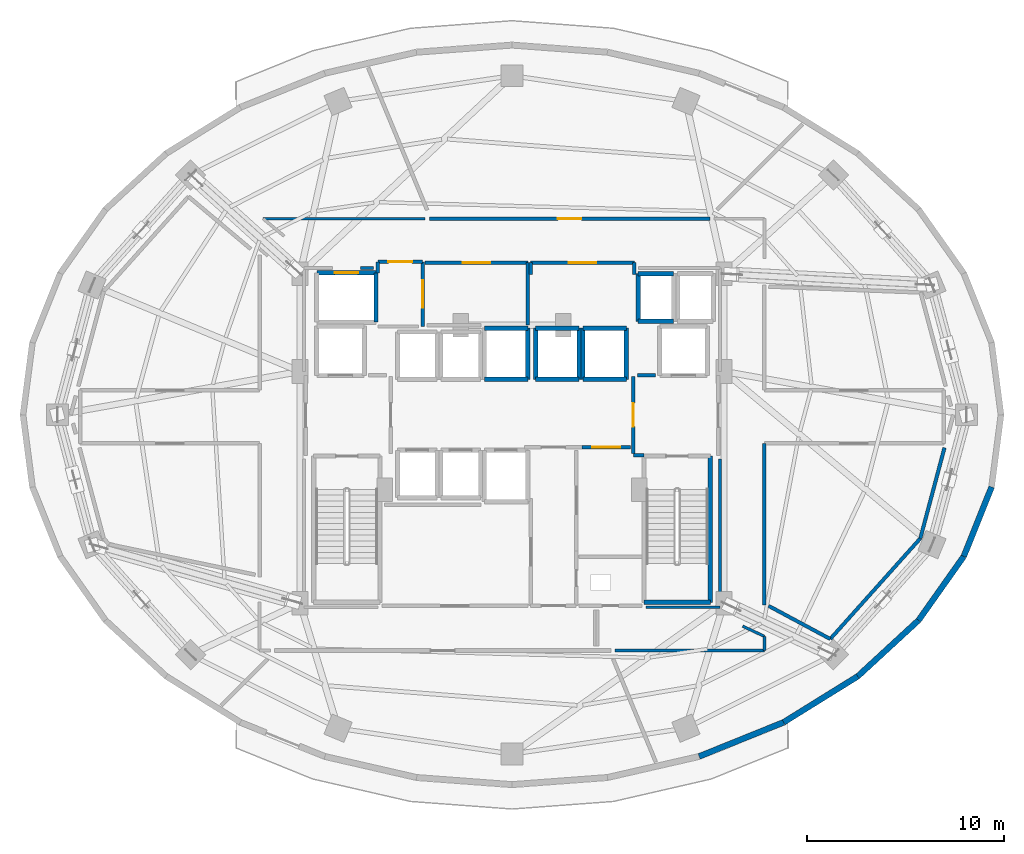
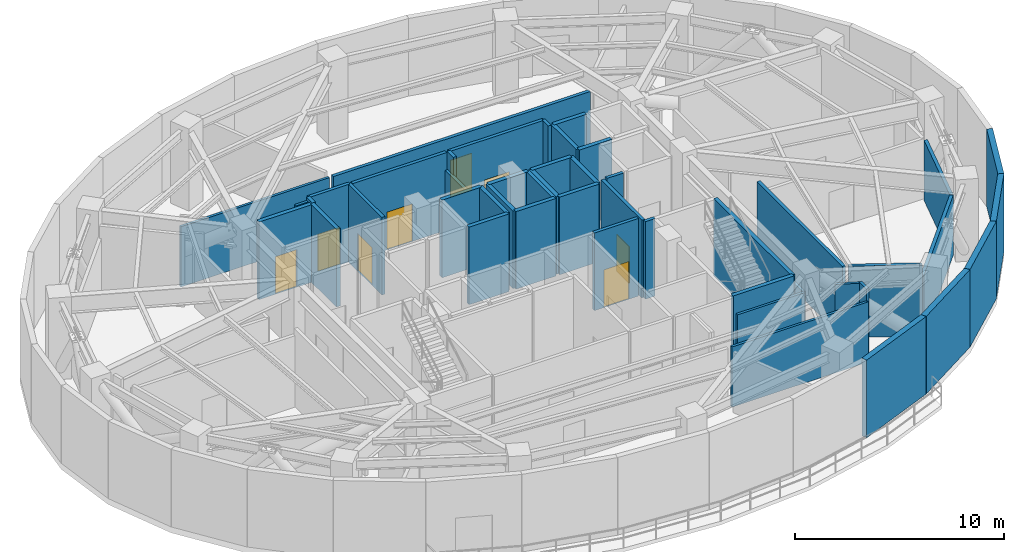
# One storey, part 8 of 11: 47 walls, 8 doors, 8 openings.
"""IFC4 building model written with IfcOpenShell, lengths in metres."""

import ifcopenshell
import ifcopenshell.guid

model = None  # the IFC model being written
_history = None  # IfcOwnerHistory: only IFC2X3 demands one
_inside = {}  # id of a spatial element -> (the spatial element, [elements in it])
_under = {}  # id of a project, library or spatial element -> (it, [spatial elements below it])
_declared = {}  # id of a project -> (the project, [libraries it declares])
_typed = {}  # id of a type object -> (the type object, [elements of that type])
_made_of = {}  # id of a material, layer set ... -> (it, [elements and type objects made of it])


def new_model(schema):
    """Start an empty IFC model of exactly this schema.

    Asked for "IFC4X3", IfcOpenShell would pick the latest addendum, in which some entities
    have other attributes; the version numbers below select the first issue.
    IFC2X3 requires an IfcOwnerHistory on every rooted entity: one is made here for all.
    """
    global model, _history
    if schema == "IFC4X3":
        model = ifcopenshell.file(schema_version=(4, 3, 0, 0))
    else:
        model = ifcopenshell.file(schema=schema)
    _inside.clear()
    _under.clear()
    _declared.clear()
    _typed.clear()
    _made_of.clear()
    _history = None
    if model.schema == "IFC2X3":
        org = make("IfcOrganization", Name="unknown")
        user = make(
            "IfcPersonAndOrganization",
            ThePerson=make("IfcPerson", FamilyName="unknown"),
            TheOrganization=org,
        )
        app = make(
            "IfcApplication",
            ApplicationDeveloper=org,
            Version="unknown",
            ApplicationFullName="unknown",
            ApplicationIdentifier="unknown",
        )
        _history = make(
            "IfcOwnerHistory",
            OwningUser=user,
            OwningApplication=app,
            ChangeAction="ADDED",
            CreationDate=0,
        )
    return model


def make(cls, **values):
    """One entity of the class cls with the attributes given. An attribute that is None is left unset."""
    return model.create_entity(
        cls, **{name: value for name, value in values.items() if value is not None}
    )


def rooted(cls, **values):
    """An entity with a GlobalId (a new one), such as an element, a storey or a relation."""
    return make(cls, GlobalId=ifcopenshell.guid.new(), OwnerHistory=_history, **values)


def si_unit(unit_type, name, prefix=None):
    """IfcSIUnit, for example si_unit("LENGTHUNIT", "METRE", prefix="MILLI")."""
    return make("IfcSIUnit", UnitType=unit_type, Prefix=prefix, Name=name)


def assignment(units):
    """IfcUnitAssignment: the units of a project."""
    return None if units is None else make("IfcUnitAssignment", Units=units)


def point(xyz):
    """IfcCartesianPoint."""
    return None if xyz is None else make("IfcCartesianPoint", Coordinates=xyz)


def direction(xyz):
    """IfcDirection."""
    return None if xyz is None else make("IfcDirection", DirectionRatios=xyz)


def frame(location, z_axis=None, x_axis=None):
    """IfcAxis2Placement3D, a coordinate frame: its origin and axes. An axis left out is left unset."""
    return make(
        "IfcAxis2Placement3D",
        Location=point(location),
        Axis=direction(z_axis),
        RefDirection=direction(x_axis),
    )


def frame_2d(location, x_axis=None):
    """IfcAxis2Placement2D, a coordinate frame in the plane: its origin and x axis."""
    return make(
        "IfcAxis2Placement2D", Location=point(location), RefDirection=direction(x_axis)
    )


def origin():
    """The frame at (0, 0, 0) with its axes left unset."""
    return frame((0.0, 0.0, 0.0))


def place(relative_to, where):
    """IfcLocalPlacement: puts the frame where relative to a parent placement (None: the world)."""
    return make(
        "IfcLocalPlacement", PlacementRelTo=relative_to, RelativePlacement=where
    )


def context(
    kind, dimensions, precision=None, world=None, true_north=None, identifier=None
):
    """IfcGeometricRepresentationContext, for example the 3D "Model" context."""
    return make(
        "IfcGeometricRepresentationContext",
        ContextIdentifier=identifier,
        ContextType=kind,
        CoordinateSpaceDimension=dimensions,
        Precision=precision,
        WorldCoordinateSystem=world,
        TrueNorth=true_north,
    )


def subcontext(parent, identifier, kind, view, scale=None):
    """IfcGeometricRepresentationSubContext, for example "Body" below "Model"."""
    return make(
        "IfcGeometricRepresentationSubContext",
        ContextIdentifier=identifier,
        ContextType=kind,
        ParentContext=parent,
        TargetScale=scale,
        TargetView=view,
    )


def project(units=None, contexts=None):
    """IfcProject with its units and contexts."""
    return rooted(
        "IfcProject",
        Name="project",
        RepresentationContexts=contexts,
        UnitsInContext=assignment(units),
    )


def spatial(cls, under=None, at=None, **own):
    """A site, building, storey or space (cls), placed at a placement, below another one or the project."""
    s = rooted(cls, ObjectPlacement=at, **own)
    if under is not None:
        _under.setdefault(under.id(), (under, []))[1].append(s)
    return s


def profile(cls, at=None, kind="AREA", **sizes):
    """A parametric profile (cls). Its sizes go by their IFC names, for example OverallWidth=200.0."""
    return make(cls, ProfileType=kind, Position=at, **sizes)


def rectangle(**sizes):
    """IfcRectangleProfileDef."""
    return profile("IfcRectangleProfileDef", **sizes)


def extrude(swept, where, along, depth):
    """IfcExtrudedAreaSolid: the profile swept, set in the frame where, extruded along a direction by depth."""
    return make(
        "IfcExtrudedAreaSolid",
        SweptArea=swept,
        Position=where,
        ExtrudedDirection=direction(along),
        Depth=depth,
    )


def shape(context_of_items, identifier, shape_type, items):
    """IfcShapeRepresentation: the items that make up one representation, for example the "Body"."""
    return make(
        "IfcShapeRepresentation",
        ContextOfItems=context_of_items,
        RepresentationIdentifier=identifier,
        RepresentationType=shape_type,
        Items=items,
    )


def material(Name=None, Category=None):
    """IfcMaterial."""
    return make("IfcMaterial", Name=Name, Category=Category)


def layer(
    of_material, thickness, ventilated=None, Name=None, Category=None, Priority=None
):
    """IfcMaterialLayer: one layer of a wall or slab, of a material (None: an air gap)."""
    return make(
        "IfcMaterialLayer",
        Material=of_material,
        LayerThickness=thickness,
        IsVentilated=ventilated,
        Name=Name,
        Category=Category,
        Priority=Priority,
    )


def layer_set(layers, Name=None):
    """IfcMaterialLayerSet."""
    return make("IfcMaterialLayerSet", MaterialLayers=layers, LayerSetName=Name)


def made_of(thing, what):
    """Note that an element or type object is made of a material, layer set ...; save() writes the relation."""
    if what is not None:
        _made_of.setdefault(what.id(), (what, []))[1].append(thing)
    return thing


def type_object(cls, material=None, **own):
    """A type object (cls), such as IfcWallType, which elements share."""
    return made_of(rooted(cls, **own), material)


def element(
    cls,
    number,
    at=None,
    inside=None,
    cuts=None,
    type_object=None,
    material=None,
    context=None,
    identifier="Body",
    shape_type=None,
    held_by="IfcProductDefinitionShape",
    body=None,
    shapes=None,
    **own,
):
    """One element of the class cls, such as IfcWall. Its Tag is "e" and its number.

    at: its placement. inside: the storey or other place that contains it. cuts: it is an
    opening in that element (IfcRelVoidsElement). A single representation is given by context,
    identifier, shape_type and body (its items); several are given by shapes. held_by: the class
    of the entity that holds the representations. save() writes the other relations.
    """
    e = rooted(cls, Tag="e%d" % number, ObjectPlacement=at, **own)
    if body is not None:
        shapes = [shape(context, identifier, shape_type, body)]
    if shapes is not None:
        e.Representation = make(held_by, Representations=shapes)
    if inside is not None:
        _inside.setdefault(inside.id(), (inside, []))[1].append(e)
    if cuts is not None:
        rooted(
            "IfcRelVoidsElement", RelatingBuildingElement=cuts, RelatedOpeningElement=e
        )
    if type_object is not None:
        _typed.setdefault(type_object.id(), (type_object, []))[1].append(e)
    return made_of(e, material)


def fill(opening, filler):
    """IfcRelFillsElement: the door or window that sits in an opening."""
    return rooted(
        "IfcRelFillsElement",
        RelatingOpeningElement=opening,
        RelatedBuildingElement=filler,
    )


def aggregate(whole, parts):
    """IfcRelAggregates: a whole, such as a stair, and the parts it consists of."""
    return rooted("IfcRelAggregates", RelatingObject=whole, RelatedObjects=parts)


def save(model, path):
    """Write the relations noted so far, then the file.

    IfcRelAggregates (storeys below a building ...), IfcRelContainedInSpatialStructure (elements
    in a storey), IfcRelDefinesByType, IfcRelAssociatesMaterial and IfcRelDeclares: one each for
    every whole, place, type object, material and project.
    """
    for whole, parts in _under.values():
        aggregate(whole, parts)
    for where, things in _inside.values():
        rooted(
            "IfcRelContainedInSpatialStructure",
            RelatedElements=things,
            RelatingStructure=where,
        )
    for kind, things in _typed.values():
        rooted("IfcRelDefinesByType", RelatedObjects=things, RelatingType=kind)
    for what, things in _made_of.values():
        rooted("IfcRelAssociatesMaterial", RelatedObjects=things, RelatingMaterial=what)
    for by, libraries in _declared.values():
        rooted("IfcRelDeclares", RelatingContext=by, RelatedDefinitions=libraries)
    model.write(path)


model = new_model("IFC4")

# Units and contexts
model_context = context("Model", 3, precision=1e-05, world=origin(), true_north=direction((0.0, 1.0)))
body_context = subcontext(model_context, "Body", "Model", "MODEL_VIEW")
ifc_project = project(units=[si_unit("LENGTHUNIT", "METRE"), si_unit("AREAUNIT", "SQUARE_METRE"), si_unit("VOLUMEUNIT", "CUBIC_METRE"), si_unit("PLANEANGLEUNIT", "RADIAN"), si_unit("MASSUNIT", "GRAM", prefix="KILO")], contexts=[model_context])

# Site, building, storey
site_placement = place(None, origin())
site = spatial("IfcSite", under=ifc_project, at=site_placement, CompositionType="ELEMENT")
building_placement = place(site_placement, origin())
building = spatial("IfcBuilding", under=site, at=building_placement, Name="Vorneva Point Tower", CompositionType="ELEMENT")
storey_placement = place(building_placement, frame((0.0, 0.0, 124.300048828125)))
storey = spatial("IfcBuildingStorey", under=building, at=storey_placement, Name="L33", CompositionType="ELEMENT", Elevation=124.300048828125)

# Walls
ifc_material_1 = material(Name="Precast concrete B50 (C40/50)", Category="concrete")
ifc_layer_1 = layer(ifc_material_1, 0.300048828125)
ifc_layer_set_1 = layer_set([ifc_layer_1], Name="Precast concrete B50 (C40/50)")
wall_type_1 = type_object("IfcWallType", Name="WL-EXT-300", PredefinedType="STANDARD", material=ifc_layer_set_1)
wall_1_placement = place(storey_placement, frame((47.490478515625, 8.67724609375, 0.0), z_axis=(0.0, 0.0, 1.0), x_axis=(0.927156504392, 0.374674280359, 0.0)))
element("IfcWall", 1, at=wall_1_placement, inside=storey, type_object=wall_type_1, Name="L33 Pale-Metal Facade Spandrel Wall 14.1", PredefinedType="STANDARD", context=body_context, shape_type="SweptSolid", body=[
    extrude(rectangle(XDim=4.62451171875, YDim=0.300048828125, at=frame_2d((2.312255859375, 0.0))), origin(), (0.0, 0.0, 1.0), 4.5400390625),
])
wall_2_placement = place(storey_placement, frame((51.778076171875, 10.409912109375, 0.0), z_axis=(0.0, 0.0, 1.0), x_axis=(0.849721181976, 0.527232313977, 0.0)))
element("IfcWall", 2, at=wall_2_placement, inside=storey, type_object=wall_type_1, Name="L33 Pale-Metal Facade Spandrel Wall 14.2", PredefinedType="STANDARD", context=body_context, shape_type="SweptSolid", body=[
    extrude(rectangle(XDim=4.422607421875, YDim=0.300048828125, at=frame_2d((2.21142578125, 0.0))), origin(), (0.0, 0.0, 1.0), 4.5400390625),
])
wall_3_placement = place(storey_placement, frame((55.5361328125, 12.74169921875, 0.0), z_axis=(0.0, 0.0, 1.0), x_axis=(0.735477154165, 0.677549522693, 0.0)))
element("IfcWall", 3, at=wall_3_placement, inside=storey, type_object=wall_type_1, Name="L33 Pale-Metal Facade Spandrel Wall 15.1", PredefinedType="STANDARD", context=body_context, shape_type="SweptSolid", body=[
    extrude(rectangle(XDim=4.193603515625, YDim=0.300048828125, at=frame_2d((2.0966796875, 0.0))), origin(), (0.0, 0.0, 1.0), 4.5400390625),
])
wall_4_placement = place(storey_placement, frame((58.620361328125, 15.5830078125, 0.0), z_axis=(0.0, 0.0, 1.0), x_axis=(0.577269753207, 0.816553508371, 0.0)))
element("IfcWall", 4, at=wall_4_placement, inside=storey, type_object=wall_type_1, Name="L33 Pale-Metal Facade Spandrel Wall 15.2", PredefinedType="STANDARD", context=body_context, shape_type="SweptSolid", body=[
    extrude(rectangle(XDim=3.969970703125, YDim=0.300048828125, at=frame_2d((1.98486328125, 0.0))), origin(), (0.0, 0.0, 1.0), 4.5400390625),
])
wall_5_placement = place(storey_placement, frame((60.912109375, 18.82470703125, 0.0), z_axis=(0.0, 0.0, 1.0), x_axis=(0.372401154411, 0.928071861546, 0.0)))
element("IfcWall", 5, at=wall_5_placement, inside=storey, type_object=wall_type_1, Name="L33 Pale-Metal Facade Spandrel Wall 16.1", PredefinedType="STANDARD", context=body_context, shape_type="SweptSolid", body=[
    extrude(rectangle(XDim=3.7900390625, YDim=0.300048828125, at=frame_2d((1.89501953125, 0.0))), origin(), (0.0, 0.0, 1.0), 4.5400390625),
])
ifc_material_2 = material(Name="Fire-rated acoustic gypsum stud partition", Category="gypsum")
ifc_layer_2 = layer(ifc_material_2, 0.139892578125)
ifc_layer_set_2 = layer_set([ifc_layer_2], Name="Fire-rated acoustic gypsum stud partition")
wall_type_2 = type_object("IfcWallType", Name="WL-PART-140", PredefinedType="PARTITIONING", material=ifc_layer_set_2)
wall_6_placement = place(storey_placement, frame((33.593994140625, 35.949951171875, 0.0), z_axis=(0.0, 0.0, 1.0), x_axis=(-1.0, 0.0, 0.0)))
element("IfcWall", 6, at=wall_6_placement, inside=storey, type_object=wall_type_2, Name="L33 Interior Closure Partition 044", PredefinedType="PARTITIONING", context=body_context, shape_type="SweptSolid", body=[
    extrude(rectangle(XDim=8.215087890625, YDim=0.139892578125, at=frame_2d((4.107421875, 0.0))), origin(), (0.0, 0.0, 1.0), 3.52197265625),
])
wall_7_placement = place(storey_placement, frame((43.235107421875, 14.050048828125, 0.0), z_axis=(0.0, 0.0, 1.0), x_axis=(1.0, 0.0, 0.0)))
element("IfcWall", 7, at=wall_7_placement, inside=storey, type_object=wall_type_2, Name="L33 Interior Closure Partition 049", PredefinedType="PARTITIONING", context=body_context, shape_type="SweptSolid", body=[
    extrude(rectangle(XDim=7.56494140625, YDim=0.139892578125, at=frame_2d((3.782470703125, 0.0))), origin(), (0.0, 0.0, 1.0), 3.52197265625),
])
wall_8_placement = place(storey_placement, frame((50.800048828125, 14.050048828125, 0.0), z_axis=(0.0, 0.0, 1.0), x_axis=(0.0, 1.0, 0.0)))
element("IfcWall", 8, at=wall_8_placement, inside=storey, type_object=wall_type_2, Name="L33 Interior Closure Partition 050", PredefinedType="PARTITIONING", context=body_context, shape_type="SweptSolid", body=[
    extrude(rectangle(XDim=0.716064453125, YDim=0.139892578125, at=frame_2d((0.35791015625, 0.0))), origin(), (0.0, 0.0, 1.0), 4.22900390625),
])
wall_9_placement = place(storey_placement, frame((50.800048828125, 14.76611328125, 0.0), z_axis=(0.0, 0.0, 1.0), x_axis=(-0.904646647719, 0.426162460537, 0.0)))
element("IfcWall", 9, at=wall_9_placement, inside=storey, type_object=wall_type_2, Name="L33 Interior Closure Partition 051", PredefinedType="PARTITIONING", context=body_context, shape_type="SweptSolid", body=[
    extrude(rectangle(XDim=1.222412109375, YDim=0.139892578125, at=frame_2d((0.611328125, 0.0))), origin(), (0.0, 0.0, 1.0), 4.174072265625),
])
wall_10_placement = place(storey_placement, frame((30.97998046875, 33.449951171875, 0.0), z_axis=(0.0, 0.0, 1.0), x_axis=(-1.0, 0.0, 0.0)))
element("IfcWall", 10, at=wall_10_placement, inside=storey, type_object=wall_type_2, Name="L33 Interior Closure Partition 052", PredefinedType="PARTITIONING", context=body_context, shape_type="SweptSolid", body=[
    extrude(rectangle(XDim=0.674072265625, YDim=0.139892578125, at=frame_2d((0.3369140625, 0.0))), origin(), (0.0, 0.0, 1.0), 4.5400390625),
])
wall_11_placement = place(storey_placement, frame((44.804931640625, 16.239990234375, 0.0), z_axis=(0.0, 0.0, 1.0), x_axis=(1.0, 0.0, 0.0)))
element("IfcWall", 11, at=wall_11_placement, inside=storey, type_object=wall_type_2, Name="L33 Interior Closure Partition 059", PredefinedType="PARTITIONING", context=body_context, shape_type="SweptSolid", body=[
    extrude(rectangle(XDim=3.7451171875, YDim=0.139892578125, at=frame_2d((1.87255859375, 0.0))), origin(), (0.0, 0.0, 1.0), 3.52197265625),
])
wall_12_placement = place(storey_placement, frame((48.550048828125, 16.239990234375, 0.0), z_axis=(0.0, 0.0, 1.0), x_axis=(0.0, 1.0, 0.0)))
element("IfcWall", 12, at=wall_12_placement, inside=storey, type_object=wall_type_2, Name="L33 Interior Closure Partition 060", PredefinedType="PARTITIONING", context=body_context, shape_type="SweptSolid", body=[
    extrude(rectangle(XDim=7.513916015625, YDim=0.139892578125, at=frame_2d((3.7568359375, 0.0))), origin(), (0.0, 0.0, 1.0), 3.52197265625),
])

# Wall, opening, door
ifc_material_3 = material(Name="Autoclaved aerated concrete blockwork", Category="masonry")
ifc_layer_3 = layer(ifc_material_3, 0.179931640625)
ifc_layer_set_3 = layer_set([ifc_layer_3], Name="Autoclaved aerated concrete blockwork")
wall_type_3 = type_object("IfcWallType", Name="WL-PART-180", PredefinedType="PARTITIONING", material=ifc_layer_set_3)
wall_13_placement = place(storey_placement, frame((44.14990234375, 27.955078125, 0.0), z_axis=(0.0, 0.0, 1.0), x_axis=(0.0, -1.0, 0.0)))
wall_13 = element("IfcWall", 13, at=wall_13_placement, inside=storey, type_object=wall_type_3, Name="L33 Interior Partition 003", PredefinedType="PARTITIONING", context=body_context, shape_type="SweptSolid", body=[
    extrude(rectangle(XDim=3.91015625, YDim=0.179931640625, at=frame_2d((1.955078125, 0.0))), origin(), (0.0, 0.0, 1.0), 4.5400390625),
])
opening_1_placement = place(wall_13_placement, frame((1.35498046875, 0.0, 0.0)))
opening_1 = element("IfcOpeningElement", 14, at=opening_1_placement, cuts=wall_13, Name="Opening FD-02", PredefinedType="OPENING", context=body_context, shape_type="SweptSolid", body=[
    extrude(rectangle(XDim=1.199951171875, YDim=2.14990234375, at=frame_2d((0.60009765625, 1.074951171875))), frame((0.0, 0.10498046875, 0.0), z_axis=(0.0, -1.0, 0.0), x_axis=(1.0, 0.0, 0.0)), (0.0, 0.0, 1.0), 0.209716796875),
])
ifc_material_4 = material(Name="Fire-rated powder-coated steel", Category="steel")
door_type_1 = type_object("IfcDoorType", Name="DR-FFL-1200", OperationType="NOTDEFINED", PredefinedType="DOOR", material=ifc_material_4)
door_1_placement = place(opening_1_placement, origin())
door_1 = element("IfcDoor", 15, at=door_1_placement, inside=storey, type_object=door_type_1, Name="L33 Door East Firefighting Lobby / Central Lift Lobby", OperationType="SINGLE_SWING_LEFT", OverallHeight=2.14990234375, OverallWidth=1.199951171875, PredefinedType="DOOR", context=body_context, shape_type="SweptSolid", body=[
    extrude(rectangle(XDim=1.199951171875, YDim=2.14990234375, at=frame_2d((0.60009765625, 1.074951171875))), frame((0.0, 0.02490234375, 0.0), z_axis=(0.0, -1.0, 0.0), x_axis=(1.0, 0.0, 0.0)), (0.0, 0.0, 1.0), 0.050048828125),
])
fill(opening_1, door_1)

# Wall
wall_14_placement = place(storey_placement, frame((44.14990234375, 23.949951171875, 0.0), z_axis=(0.0, 0.0, 1.0), x_axis=(1.0, 0.0, 0.0)))
element("IfcWall", 16, at=wall_14_placement, inside=storey, type_object=wall_type_3, Name="L33 Interior Partition 004", PredefinedType="PARTITIONING", context=body_context, shape_type="SweptSolid", body=[
    extrude(rectangle(XDim=0.5400390625, YDim=0.179931640625, at=frame_2d((0.27001953125, 0.0))), origin(), (0.0, 0.0, 1.0), 4.5400390625),
])

# Wall, opening, door
wall_15_placement = place(storey_placement, frame((33.469970703125, 30.47998046875, 0.0), z_axis=(0.0, 0.0, 1.0), x_axis=(0.0, 1.0, 0.0)))
wall_15 = element("IfcWall", 17, at=wall_15_placement, inside=storey, type_object=wall_type_3, Name="L33 Interior Partition 006", PredefinedType="PARTITIONING", context=body_context, shape_type="SweptSolid", body=[
    extrude(rectangle(XDim=3.280029296875, YDim=0.179931640625, at=frame_2d((1.64013671875, 0.0))), origin(), (0.0, 0.0, 1.0), 4.5400390625),
])
opening_2_placement = place(wall_15_placement, frame((0.93994140625, 0.0, 0.0)))
opening_2 = element("IfcOpeningElement", 18, at=opening_2_placement, cuts=wall_15, Name="Opening FD-03", PredefinedType="OPENING", context=body_context, shape_type="SweptSolid", body=[
    extrude(rectangle(XDim=1.39990234375, YDim=2.199951171875, at=frame_2d((0.699951171875, 1.10009765625))), frame((0.0, 0.10498046875, 0.0), z_axis=(0.0, -1.0, 0.0), x_axis=(1.0, 0.0, 0.0)), (0.0, 0.0, 1.0), 0.209716796875),
])
door_type_2 = type_object("IfcDoorType", Name="DR-PLT-1400", OperationType="DOUBLE_SWING_LEFT", PredefinedType="DOOR", material=ifc_material_4)
door_2_placement = place(opening_2_placement, origin())
door_2 = element("IfcDoor", 19, at=door_2_placement, inside=storey, type_object=door_type_2, Name="L33 Door Service Lift Lobby / Core Smoke Extract Plant L33", OperationType="DOUBLE_SWING_LEFT", OverallHeight=2.199951171875, OverallWidth=1.39990234375, PredefinedType="DOOR", context=body_context, shape_type="SweptSolid", body=[
    extrude(rectangle(XDim=1.39990234375, YDim=2.199951171875, at=frame_2d((0.699951171875, 1.10009765625))), frame((0.0, 0.02490234375, 0.0), z_axis=(0.0, -1.0, 0.0), x_axis=(1.0, 0.0, 0.0)), (0.0, 0.0, 1.0), 0.050048828125),
])
fill(opening_2, door_2)

wall_16_placement = place(storey_placement, frame((33.469970703125, 33.760009765625, 0.0), z_axis=(0.0, 0.0, 1.0), x_axis=(-1.0, 0.0, 0.0)))
wall_16 = element("IfcWall", 20, at=wall_16_placement, inside=storey, type_object=wall_type_3, Name="L33 Interior Partition 007", PredefinedType="PARTITIONING", context=body_context, shape_type="SweptSolid", body=[
    extrude(rectangle(XDim=2.27001953125, YDim=0.179931640625, at=frame_2d((1.135009765625, 0.0))), origin(), (0.0, 0.0, 1.0), 4.5400390625),
])
opening_3_placement = place(wall_16_placement, frame((0.534912109375, 0.0, 0.0)))
opening_3 = element("IfcOpeningElement", 21, at=opening_3_placement, cuts=wall_16, Name="Opening FD-02", PredefinedType="OPENING", context=body_context, shape_type="SweptSolid", body=[
    extrude(rectangle(XDim=1.199951171875, YDim=2.14990234375, at=frame_2d((0.60009765625, 1.074951171875))), frame((0.0, 0.10498046875, 0.0), z_axis=(0.0, -1.0, 0.0), x_axis=(1.0, 0.0, 0.0)), (0.0, 0.0, 1.0), 0.209716796875),
])
door_3_placement = place(opening_3_placement, origin())
door_3 = element("IfcDoor", 22, at=door_3_placement, inside=storey, type_object=door_type_1, Name="L33 Door Service Lift Lobby / L33 Refuge and Lift Lobby", OperationType="SINGLE_SWING_LEFT", OverallHeight=2.14990234375, OverallWidth=1.199951171875, PredefinedType="DOOR", context=body_context, shape_type="SweptSolid", body=[
    extrude(rectangle(XDim=1.199951171875, YDim=2.14990234375, at=frame_2d((0.60009765625, 1.074951171875))), frame((0.0, 0.02490234375, 0.0), z_axis=(0.0, -1.0, 0.0), x_axis=(1.0, 0.0, 0.0)), (0.0, 0.0, 1.0), 0.050048828125),
])
fill(opening_3, door_3)

# Wall
wall_17_placement = place(storey_placement, frame((31.199951171875, 33.760009765625, 0.0), z_axis=(0.0, 0.0, 1.0), x_axis=(0.0, -1.0, 0.0)))
element("IfcWall", 23, at=wall_17_placement, inside=storey, type_object=wall_type_3, Name="L33 Interior Partition 008", PredefinedType="PARTITIONING", context=body_context, shape_type="SweptSolid", body=[
    extrude(rectangle(XDim=0.56005859375, YDim=0.179931640625, at=frame_2d((0.280029296875, 0.0))), origin(), (0.0, 0.0, 1.0), 4.5400390625),
])

# Wall, opening, door
wall_18_placement = place(storey_placement, frame((41.554931640625, 24.35009765625, 0.0), z_axis=(0.0, 0.0, 1.0), x_axis=(1.0, 0.0, 0.0)))
wall_18 = element("IfcWall", 24, at=wall_18_placement, inside=storey, type_object=wall_type_3, Name="L33 Interior Partition 010", PredefinedType="PARTITIONING", context=body_context, shape_type="SweptSolid", body=[
    extrude(rectangle(XDim=2.445068359375, YDim=0.179931640625, at=frame_2d((1.22265625, 0.0))), origin(), (0.0, 0.0, 1.0), 4.5400390625),
])
opening_4_placement = place(wall_18_placement, frame((0.5224609375, 0.0, 0.0)))
opening_4 = element("IfcOpeningElement", 25, at=opening_4_placement, cuts=wall_18, Name="Opening FD-03", PredefinedType="OPENING", context=body_context, shape_type="SweptSolid", body=[
    extrude(rectangle(XDim=1.39990234375, YDim=2.199951171875, at=frame_2d((0.699951171875, 1.10009765625))), frame((0.0, 0.10498046875, 0.0), z_axis=(0.0, -1.0, 0.0), x_axis=(1.0, 0.0, 0.0)), (0.0, 0.0, 1.0), 0.209716796875),
])
door_4_placement = place(opening_4_placement, origin())
door_4 = element("IfcDoor", 26, at=door_4_placement, inside=storey, type_object=door_type_2, Name="L33 Door Central Lift Lobby / Core BMS Control Plant L33", OperationType="DOUBLE_SWING_LEFT", OverallHeight=2.199951171875, OverallWidth=1.39990234375, PredefinedType="DOOR", context=body_context, shape_type="SweptSolid", body=[
    extrude(rectangle(XDim=1.39990234375, YDim=2.199951171875, at=frame_2d((0.699951171875, 1.10009765625))), frame((0.0, 0.02490234375, 0.0), z_axis=(0.0, -1.0, 0.0), x_axis=(1.0, 0.0, 0.0)), (0.0, 0.0, 1.0), 0.050048828125),
])
fill(opening_4, door_4)

# Wall
wall_19_placement = place(storey_placement, frame((38.800048828125, 30.550048828125, 0.0), z_axis=(0.0, 0.0, 1.0), x_axis=(0.0, 1.0, 0.0)))
element("IfcWall", 27, at=wall_19_placement, inside=storey, type_object=wall_type_3, Name="L33 Interior Partition 015", PredefinedType="PARTITIONING", context=body_context, shape_type="SweptSolid", body=[
    extrude(rectangle(XDim=3.169921875, YDim=0.179931640625, at=frame_2d((1.5849609375, 0.0))), origin(), (0.0, 0.0, 1.0), 3.52197265625),
])

# Wall, opening, door
wall_20_placement = place(storey_placement, frame((38.800048828125, 33.719970703125, 0.0), z_axis=(0.0, 0.0, 1.0), x_axis=(-1.0, 0.0, 0.0)))
wall_20 = element("IfcWall", 28, at=wall_20_placement, inside=storey, type_object=wall_type_3, Name="L33 Interior Partition 016", PredefinedType="PARTITIONING", context=body_context, shape_type="SweptSolid", body=[
    extrude(rectangle(XDim=5.199951171875, YDim=0.179931640625, at=frame_2d((2.60009765625, 0.0))), origin(), (0.0, 0.0, 1.0), 4.5400390625),
])
opening_5_placement = place(wall_20_placement, frame((1.89990234375, 0.0, 0.0)))
opening_5 = element("IfcOpeningElement", 29, at=opening_5_placement, cuts=wall_20, Name="Opening FD-03", PredefinedType="OPENING", context=body_context, shape_type="SweptSolid", body=[
    extrude(rectangle(XDim=1.39990234375, YDim=2.199951171875, at=frame_2d((0.699951171875, 1.10009765625))), frame((0.0, 0.10498046875, 0.0), z_axis=(0.0, -1.0, 0.0), x_axis=(1.0, 0.0, 0.0)), (0.0, 0.0, 1.0), 0.209716796875),
])
door_5_placement = place(opening_5_placement, origin())
door_5 = element("IfcDoor", 30, at=door_5_placement, inside=storey, type_object=door_type_2, Name="L33 Door Core Smoke Extract Plant L33 / L33 Refuge and Lift Lobby", OperationType="DOUBLE_SWING_LEFT", OverallHeight=2.199951171875, OverallWidth=1.39990234375, PredefinedType="DOOR", context=body_context, shape_type="SweptSolid", body=[
    extrude(rectangle(XDim=1.39990234375, YDim=2.199951171875, at=frame_2d((0.699951171875, 1.10009765625))), frame((0.0, 0.02490234375, 0.0), z_axis=(0.0, -1.0, 0.0), x_axis=(1.0, 0.0, 0.0)), (0.0, 0.0, 1.0), 0.050048828125),
])
fill(opening_5, door_5)

wall_21_placement = place(storey_placement, frame((44.199951171875, 33.719970703125, 0.0), z_axis=(0.0, 0.0, 1.0), x_axis=(-1.0, 0.0, 0.0)))
wall_21 = element("IfcWall", 31, at=wall_21_placement, inside=storey, type_object=wall_type_3, Name="L33 Interior Partition 017", PredefinedType="PARTITIONING", context=body_context, shape_type="SweptSolid", body=[
    extrude(rectangle(XDim=5.25, YDim=0.179931640625, at=frame_2d((2.625, 0.0))), origin(), (0.0, 0.0, 1.0), 4.5400390625),
])
opening_6_placement = place(wall_21_placement, frame((1.925048828125, 0.0, 0.0)))
opening_6 = element("IfcOpeningElement", 32, at=opening_6_placement, cuts=wall_21, Name="Opening FD-03", PredefinedType="OPENING", context=body_context, shape_type="SweptSolid", body=[
    extrude(rectangle(XDim=1.39990234375, YDim=2.199951171875, at=frame_2d((0.699951171875, 1.10009765625))), frame((0.0, 0.10498046875, 0.0), z_axis=(0.0, -1.0, 0.0), x_axis=(1.0, 0.0, 0.0)), (0.0, 0.0, 1.0), 0.209716796875),
])
door_6_placement = place(opening_6_placement, origin())
door_6 = element("IfcDoor", 33, at=door_6_placement, inside=storey, type_object=door_type_2, Name="L33 Door Core Electrical Switchgear Room L33 / L33 Refuge and Lift Lobby", OperationType="DOUBLE_SWING_LEFT", OverallHeight=2.199951171875, OverallWidth=1.39990234375, PredefinedType="DOOR", context=body_context, shape_type="SweptSolid", body=[
    extrude(rectangle(XDim=1.39990234375, YDim=2.199951171875, at=frame_2d((0.699951171875, 1.10009765625))), frame((0.0, 0.02490234375, 0.0), z_axis=(0.0, -1.0, 0.0), x_axis=(1.0, 0.0, 0.0)), (0.0, 0.0, 1.0), 0.050048828125),
])
fill(opening_6, door_6)

# Walls
for number, where, z_axis, x_axis, name in (
    (34, (38.949951171875, 33.719970703125, 0.0), (0.0, 0.0, 1.0), (0.0, -1.0, 0.0), "L33 Interior Partition 018"),
    (35, (44.199951171875, 33.110107421875, 0.0), (0.0, 0.0, 1.0), (0.0, 1.0, 0.0), "L33 Interior Partition 019"),
):
    element("IfcWall", number, at=place(storey_placement, frame(where, z_axis=z_axis, x_axis=x_axis)), inside=storey, type_object=wall_type_3, Name=name, PredefinedType="PARTITIONING", context=body_context, shape_type="SweptSolid", body=[
        extrude(rectangle(XDim=0.60986328125, YDim=0.179931640625, at=frame_2d((0.304931640625, 0.0))), origin(), (0.0, 0.0, 1.0), 4.5400390625),
    ])

# Wall, opening, door
wall_22_placement = place(storey_placement, frame((48.034912109375, 35.949951171875, 0.0), z_axis=(0.0, 0.0, 1.0), x_axis=(-1.0, 0.0, 0.0)))
wall_22 = element("IfcWall", 36, at=wall_22_placement, inside=storey, type_object=wall_type_3, Name="L33 Interior Partition 023", PredefinedType="PARTITIONING", context=body_context, shape_type="SweptSolid", body=[
    extrude(rectangle(XDim=14.220947265625, YDim=0.179931640625, at=frame_2d((7.1103515625, 0.0))), origin(), (0.0, 0.0, 1.0), 3.52197265625),
])
opening_7_placement = place(wall_22_placement, frame((6.510498046875, 0.0, 0.0)))
opening_7 = element("IfcOpeningElement", 37, at=opening_7_placement, cuts=wall_22, Name="Opening FD-02", PredefinedType="OPENING", context=body_context, shape_type="SweptSolid", body=[
    extrude(rectangle(XDim=1.199951171875, YDim=2.14990234375, at=frame_2d((0.60009765625, 1.074951171875))), frame((0.0, 0.10498046875, 0.0), z_axis=(0.0, -1.0, 0.0), x_axis=(1.0, 0.0, 0.0)), (0.0, 0.0, 1.0), 0.209716796875),
])
door_7_placement = place(opening_7_placement, origin())
door_7 = element("IfcDoor", 38, at=door_7_placement, inside=storey, type_object=door_type_1, Name="L33 Door L33 Refuge and Lift Lobby / Refuge Area North L33", OperationType="SINGLE_SWING_RIGHT", OverallHeight=2.14990234375, OverallWidth=1.199951171875, PredefinedType="DOOR", context=body_context, shape_type="SweptSolid", body=[
    extrude(rectangle(XDim=1.199951171875, YDim=2.14990234375, at=frame_2d((0.60009765625, 1.074951171875))), frame((0.0, 0.02490234375, 0.0), z_axis=(0.0, -1.0, 0.0), x_axis=(1.0, 0.0, 0.0)), (0.0, 0.0, 1.0), 0.050048828125),
])
fill(opening_7, door_7)

# Walls
wall_23_placement = place(storey_placement, frame((50.800048828125, 16.35888671875, 0.0), z_axis=(0.0, 0.0, 1.0), x_axis=(0.0, 1.0, 0.0)))
element("IfcWall", 39, at=wall_23_placement, inside=storey, type_object=wall_type_3, Name="L33 Interior Partition 031", PredefinedType="PARTITIONING", context=body_context, shape_type="SweptSolid", body=[
    extrude(rectangle(XDim=8.191162109375, YDim=0.179931640625, at=frame_2d((4.095703125, 0.0))), origin(), (0.0, 0.0, 1.0), 4.174072265625),
])
wall_24_placement = place(storey_placement, frame((45.280029296875, 28.0, 0.0), z_axis=(0.0, 0.0, 1.0), x_axis=(-1.0, 0.0, 0.0)))
element("IfcWall", 40, at=wall_24_placement, inside=storey, type_object=wall_type_3, Name="L33 Interior Closure Partition 038", PredefinedType="PARTITIONING", context=body_context, shape_type="SweptSolid", body=[
    extrude(rectangle(XDim=0.9150390625, YDim=0.179931640625, at=frame_2d((0.45751953125, 0.0))), origin(), (0.0, 0.0, 1.0), 4.5400390625),
])
wall_25_placement = place(storey_placement, frame((51.014892578125, 16.31201171875, 0.0), z_axis=(0.0, 0.0, 1.0), x_axis=(0.880963604882, -0.473184030662, 0.0)))
element("IfcWall", 41, at=wall_25_placement, inside=storey, type_object=wall_type_3, Name="L33 Interior Closure Partition 075", PredefinedType="PARTITIONING", context=body_context, shape_type="SweptSolid", body=[
    extrude(rectangle(XDim=3.546142578125, YDim=0.179931640625, at=frame_2d((1.77294921875, 0.0))), origin(), (0.0, 0.0, 1.0), 4.174072265625),
])
wall_26_placement = place(storey_placement, frame((54.138916015625, 14.634033203125, 0.0), z_axis=(0.0, 0.0, 1.0), x_axis=(0.667048046009, 0.745014700738, 0.0)))
element("IfcWall", 42, at=wall_26_placement, inside=storey, type_object=wall_type_3, Name="L33 Interior Closure Partition 076", PredefinedType="PARTITIONING", context=body_context, shape_type="SweptSolid", body=[
    extrude(rectangle(XDim=6.84814453125, YDim=0.179931640625, at=frame_2d((3.424072265625, 0.0))), origin(), (0.0, 0.0, 1.0), 3.52197265625),
])
wall_27_placement = place(storey_placement, frame((58.70703125, 19.736083984375, 0.0), z_axis=(0.0, 0.0, 1.0), x_axis=(0.257467803187, 0.966286877859, 0.0)))
element("IfcWall", 43, at=wall_27_placement, inside=storey, type_object=wall_type_3, Name="L33 Interior Closure Partition 077", PredefinedType="PARTITIONING", context=body_context, shape_type="SweptSolid", body=[
    extrude(rectangle(XDim=4.75732421875, YDim=0.179931640625, at=frame_2d((2.378662109375, 0.0))), origin(), (0.0, 0.0, 1.0), 3.52197265625),
])
ifc_material_5 = material(Name="Concrete B50 (C40/50)", Category="concrete")
ifc_layer_4 = layer(ifc_material_5, 0.219970703125)
ifc_layer_set_4 = layer_set([ifc_layer_4], Name="Concrete B50 (C40/50)")
wall_type_4 = type_object("IfcWallType", Name="WL-SHFT-220", PredefinedType="SOLIDWALL", material=ifc_layer_set_4)
wall_28_placement = place(storey_placement, frame((48.06005859375, 23.909912109375, 0.0), z_axis=(0.0, 0.0, 1.0), x_axis=(0.0, -1.0, 0.0)))
element("IfcWall", 44, at=wall_28_placement, inside=storey, type_object=wall_type_4, Name="L33 Exit Stair ST2 Shaft Wall right", PredefinedType="SOLIDWALL", context=body_context, shape_type="SweptSolid", body=[
    extrude(rectangle(XDim=7.419921875, YDim=0.219970703125, at=frame_2d((3.7099609375, 0.0))), origin(), (0.0, 0.0, 1.0), 4.5400390625),
])
wall_29_placement = place(storey_placement, frame((48.06005859375, 16.489990234375, 0.0), z_axis=(0.0, 0.0, 1.0), x_axis=(-1.0, 0.0, 0.0)))
element("IfcWall", 45, at=wall_29_placement, inside=storey, type_object=wall_type_4, Name="L33 Exit Stair ST2 Shaft Wall far", PredefinedType="SOLIDWALL", context=body_context, shape_type="SweptSolid", body=[
    extrude(rectangle(XDim=3.3701171875, YDim=0.219970703125, at=frame_2d((1.68505859375, 0.0))), origin(), (0.0, 0.0, 1.0), 4.5400390625),
])
wall_30_placement = place(storey_placement, frame((36.60009765625, 27.800048828125, 0.0), z_axis=(0.0, 0.0, 1.0), x_axis=(1.0, 0.0, 0.0)))
element("IfcWall", 46, at=wall_30_placement, inside=storey, type_object=wall_type_4, Name="L33 Lift PL3 Shaft Wall -Y", PredefinedType="SOLIDWALL", context=body_context, shape_type="SweptSolid", body=[
    extrude(rectangle(XDim=2.199951171875, YDim=0.219970703125, at=frame_2d((1.10009765625, 0.0))), origin(), (0.0, 0.0, 1.0), 4.5400390625),
])
wall_31_placement = place(storey_placement, frame((38.800048828125, 27.800048828125, 0.0), z_axis=(0.0, 0.0, 1.0), x_axis=(0.0, 1.0, 0.0)))
element("IfcWall", 47, at=wall_31_placement, inside=storey, type_object=wall_type_4, Name="L33 Lift PL3 Shaft Wall +X", PredefinedType="SOLIDWALL", context=body_context, shape_type="SweptSolid", body=[
    extrude(rectangle(XDim=2.599853515625, YDim=0.219970703125, at=frame_2d((1.2998046875, 0.0))), origin(), (0.0, 0.0, 1.0), 4.5400390625),
])
for number, where, z_axis, x_axis, name in (
    (48, (38.800048828125, 30.39990234375, 0.0), (0.0, 0.0, 1.0), (-1.0, 0.0, 0.0), "L33 Lift PL3 Shaft Wall +Y"),
    (49, (39.199951171875, 27.800048828125, 0.0), (0.0, 0.0, 1.0), (1.0, 0.0, 0.0), "L33 Lift PL7 Shaft Wall -Y"),
):
    element("IfcWall", number, at=place(storey_placement, frame(where, z_axis=z_axis, x_axis=x_axis)), inside=storey, type_object=wall_type_4, Name=name, PredefinedType="SOLIDWALL", context=body_context, shape_type="SweptSolid", body=[
        extrude(rectangle(XDim=2.199951171875, YDim=0.219970703125, at=frame_2d((1.10009765625, 0.0))), origin(), (0.0, 0.0, 1.0), 4.5400390625),
    ])
wall_32_placement = place(storey_placement, frame((41.39990234375, 27.800048828125, 0.0), z_axis=(0.0, 0.0, 1.0), x_axis=(0.0, 1.0, 0.0)))
element("IfcWall", 50, at=wall_32_placement, inside=storey, type_object=wall_type_4, Name="L33 Lift PL7 Shaft Wall +X", PredefinedType="SOLIDWALL", context=body_context, shape_type="SweptSolid", body=[
    extrude(rectangle(XDim=2.599853515625, YDim=0.219970703125, at=frame_2d((1.2998046875, 0.0))), origin(), (0.0, 0.0, 1.0), 4.5400390625),
])
wall_33_placement = place(storey_placement, frame((41.39990234375, 30.39990234375, 0.0), z_axis=(0.0, 0.0, 1.0), x_axis=(-1.0, 0.0, 0.0)))
element("IfcWall", 51, at=wall_33_placement, inside=storey, type_object=wall_type_4, Name="L33 Lift PL7 Shaft Wall +Y", PredefinedType="SOLIDWALL", context=body_context, shape_type="SweptSolid", body=[
    extrude(rectangle(XDim=2.199951171875, YDim=0.219970703125, at=frame_2d((1.10009765625, 0.0))), origin(), (0.0, 0.0, 1.0), 4.5400390625),
])
wall_34_placement = place(storey_placement, frame((39.199951171875, 30.39990234375, 0.0), z_axis=(0.0, 0.0, 1.0), x_axis=(0.0, -1.0, 0.0)))
element("IfcWall", 52, at=wall_34_placement, inside=storey, type_object=wall_type_4, Name="L33 Lift PL7 Shaft Wall -X", PredefinedType="SOLIDWALL", context=body_context, shape_type="SweptSolid", body=[
    extrude(rectangle(XDim=2.599853515625, YDim=0.219970703125, at=frame_2d((1.2998046875, 0.0))), origin(), (0.0, 0.0, 1.0), 4.5400390625),
])
wall_35_placement = place(storey_placement, frame((41.60009765625, 27.800048828125, 0.0), z_axis=(0.0, 0.0, 1.0), x_axis=(1.0, 0.0, 0.0)))
element("IfcWall", 53, at=wall_35_placement, inside=storey, type_object=wall_type_4, Name="L33 Lift PL8 Shaft Wall -Y", PredefinedType="SOLIDWALL", context=body_context, shape_type="SweptSolid", body=[
    extrude(rectangle(XDim=2.199951171875, YDim=0.219970703125, at=frame_2d((1.10009765625, 0.0))), origin(), (0.0, 0.0, 1.0), 4.5400390625),
])
wall_36_placement = place(storey_placement, frame((43.800048828125, 27.800048828125, 0.0), z_axis=(0.0, 0.0, 1.0), x_axis=(0.0, 1.0, 0.0)))
element("IfcWall", 54, at=wall_36_placement, inside=storey, type_object=wall_type_4, Name="L33 Lift PL8 Shaft Wall +X", PredefinedType="SOLIDWALL", context=body_context, shape_type="SweptSolid", body=[
    extrude(rectangle(XDim=2.599853515625, YDim=0.219970703125, at=frame_2d((1.2998046875, 0.0))), origin(), (0.0, 0.0, 1.0), 4.5400390625),
])
wall_37_placement = place(storey_placement, frame((43.800048828125, 30.39990234375, 0.0), z_axis=(0.0, 0.0, 1.0), x_axis=(-1.0, 0.0, 0.0)))
element("IfcWall", 55, at=wall_37_placement, inside=storey, type_object=wall_type_4, Name="L33 Lift PL8 Shaft Wall +Y", PredefinedType="SOLIDWALL", context=body_context, shape_type="SweptSolid", body=[
    extrude(rectangle(XDim=2.199951171875, YDim=0.219970703125, at=frame_2d((1.10009765625, 0.0))), origin(), (0.0, 0.0, 1.0), 4.5400390625),
])
wall_38_placement = place(storey_placement, frame((41.60009765625, 30.39990234375, 0.0), z_axis=(0.0, 0.0, 1.0), x_axis=(0.0, -1.0, 0.0)))
element("IfcWall", 56, at=wall_38_placement, inside=storey, type_object=wall_type_4, Name="L33 Lift PL8 Shaft Wall -X", PredefinedType="SOLIDWALL", context=body_context, shape_type="SweptSolid", body=[
    extrude(rectangle(XDim=2.599853515625, YDim=0.219970703125, at=frame_2d((1.2998046875, 0.0))), origin(), (0.0, 0.0, 1.0), 4.5400390625),
])
for number, where, z_axis, x_axis, name in (
    (57, (44.39990234375, 30.739990234375, 0.0), (0.0, 0.0, 1.0), (1.0, 0.0, 0.0), "L33 Lift EX1 Shaft Wall -Y"),
    (58, (46.199951171875, 33.159912109375, 0.0), (0.0, 0.0, 1.0), (-1.0, 0.0, 0.0), "L33 Lift EX1 Shaft Wall +Y"),
):
    element("IfcWall", number, at=place(storey_placement, frame(where, z_axis=z_axis, x_axis=x_axis)), inside=storey, type_object=wall_type_4, Name=name, PredefinedType="SOLIDWALL", context=body_context, shape_type="SweptSolid", body=[
        extrude(rectangle(XDim=1.800048828125, YDim=0.219970703125, at=frame_2d((0.89990234375, 0.0))), origin(), (0.0, 0.0, 1.0), 4.5400390625),
    ])
wall_39_placement = place(storey_placement, frame((44.39990234375, 33.159912109375, 0.0), z_axis=(0.0, 0.0, 1.0), x_axis=(0.0, -1.0, 0.0)))
element("IfcWall", 59, at=wall_39_placement, inside=storey, type_object=wall_type_4, Name="L33 Lift EX1 Shaft Wall -X", PredefinedType="SOLIDWALL", context=body_context, shape_type="SweptSolid", body=[
    extrude(rectangle(XDim=2.419921875, YDim=0.219970703125, at=frame_2d((1.2099609375, 0.0))), origin(), (0.0, 0.0, 1.0), 4.5400390625),
])
wall_40_placement = place(storey_placement, frame((31.10009765625, 30.699951171875, 0.0), z_axis=(0.0, 0.0, 1.0), x_axis=(0.0, 1.0, 0.0)))
element("IfcWall", 60, at=wall_40_placement, inside=storey, type_object=wall_type_4, Name="L33 Lift SVL1 Shaft Wall +X", PredefinedType="SOLIDWALL", context=body_context, shape_type="SweptSolid", body=[
    extrude(rectangle(XDim=2.5, YDim=0.219970703125, at=frame_2d((1.25, 0.0))), origin(), (0.0, 0.0, 1.0), 4.5400390625),
])

# Wall, opening, door
wall_41_placement = place(storey_placement, frame((31.10009765625, 33.199951171875, 0.0), z_axis=(0.0, 0.0, 1.0), x_axis=(-1.0, 0.0, 0.0)))
wall_41 = element("IfcWall", 61, at=wall_41_placement, inside=storey, type_object=wall_type_4, Name="L33 Lift SVL1 Shaft Wall +Y", PredefinedType="SOLIDWALL", context=body_context, shape_type="SweptSolid", body=[
    extrude(rectangle(XDim=3.0, YDim=0.219970703125, at=frame_2d((1.5, 0.0))), origin(), (0.0, 0.0, 1.0), 4.5400390625),
])
opening_8_placement = place(wall_41_placement, frame((0.89990234375, 0.0, 0.0)))
opening_8 = element("IfcOpeningElement", 62, at=opening_8_placement, cuts=wall_41, Name="Opening LD-02", PredefinedType="OPENING", context=body_context, shape_type="SweptSolid", body=[
    extrude(rectangle(XDim=1.199951171875, YDim=2.199951171875, at=frame_2d((0.60009765625, 1.10009765625))), frame((0.0, 0.125, 0.0), z_axis=(0.0, -1.0, 0.0), x_axis=(1.0, 0.0, 0.0)), (0.0, 0.0, 1.0), 0.249755859375),
])
ifc_material_6 = material(Name="Brushed stainless steel S304", Category="steel")
door_type_3 = type_object("IfcDoorType", Name="LD-FIRE-1200", OperationType="SLIDING_TO_LEFT", PredefinedType="DOOR", material=ifc_material_6)
door_8_placement = place(opening_8_placement, origin())
door_8 = element("IfcDoor", 63, at=door_8_placement, inside=storey, type_object=door_type_3, Name="L33 Lift SVL1 Sliding Landing Door", OperationType="SLIDING_TO_LEFT", OverallHeight=2.199951171875, OverallWidth=1.199951171875, PredefinedType="DOOR", context=body_context, shape_type="SweptSolid", body=[
    extrude(rectangle(XDim=1.199951171875, YDim=2.199951171875, at=frame_2d((0.60009765625, 1.10009765625))), frame((0.0, 0.02490234375, 0.0), z_axis=(0.0, -1.0, 0.0), x_axis=(1.0, 0.0, 0.0)), (0.0, 0.0, 1.0), 0.050048828125),
])
fill(opening_8, door_8)

save(model, "model.ifc")
